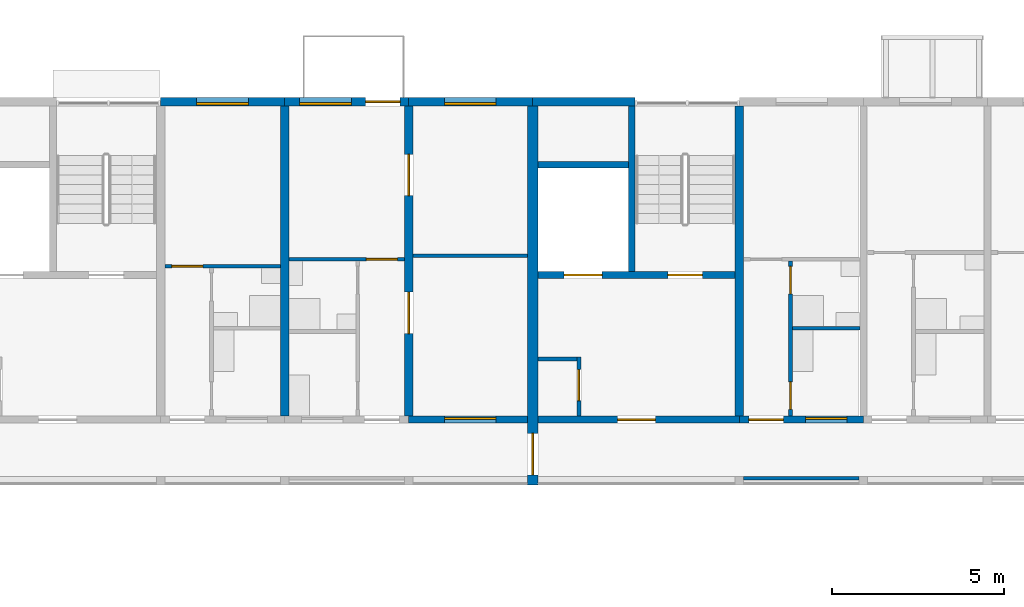
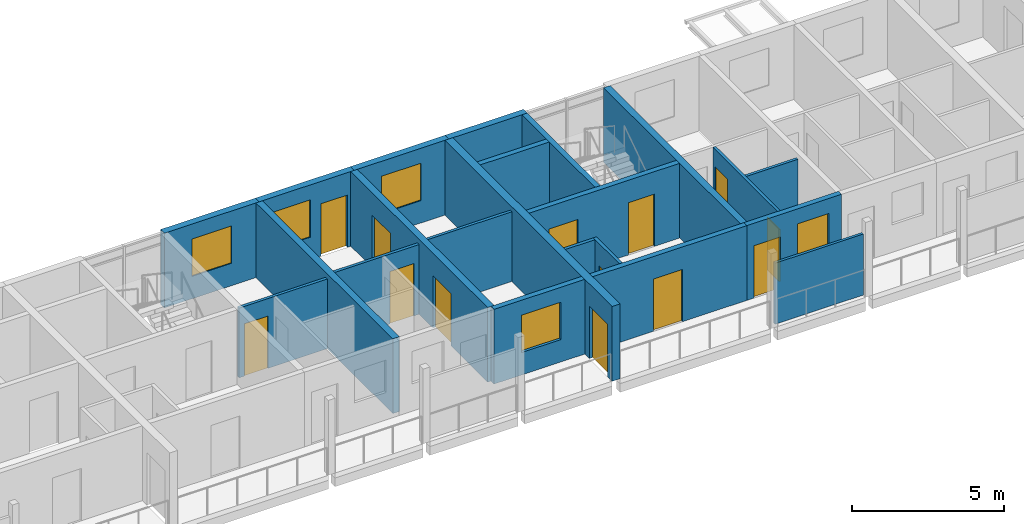
# One storey, part 78 of 122: 22 walls, 13 doors, 5 windows, 18 openings.
"""IFC4 building model written with IfcOpenShell, lengths in metres."""

from ifc_helpers import new_model, si_unit, direction, frame, frame_2d, origin, place, context, subcontext, project, spatial, rectangle, extrude, material, layer, layer_set, type_object, element, fill, save


model = new_model("IFC4")

# Units and contexts
model_context = context("Model", 3, precision=1e-05, world=origin(), true_north=direction((0.0, 1.0)))
body_context = subcontext(model_context, "Body", "Model", "MODEL_VIEW")
ifc_project = project(units=[si_unit("LENGTHUNIT", "METRE"), si_unit("AREAUNIT", "SQUARE_METRE"), si_unit("VOLUMEUNIT", "CUBIC_METRE"), si_unit("PLANEANGLEUNIT", "RADIAN"), si_unit("MASSUNIT", "GRAM", prefix="KILO")], contexts=[model_context])

# Site, building, storey
site_placement = place(None, origin())
site = spatial("IfcSite", under=ifc_project, at=site_placement, CompositionType="ELEMENT")
building_placement = place(site_placement, origin())
building = spatial("IfcBuilding", under=site, at=building_placement, Name="Ridgestep Commons", CompositionType="ELEMENT")
storey_placement = place(building_placement, frame((0.0, 0.0, 3.0)))
storey = spatial("IfcBuildingStorey", under=building, at=storey_placement, Name="L01", CompositionType="ELEMENT", Elevation=3.0)

# Wall
ifc_material_1 = material(Name="Concrete C30/37", Category="concrete")
ifc_layer_1 = layer(ifc_material_1, 0.25)
ifc_layer_set_1 = layer_set([ifc_layer_1], Name="Core cross wall 250")
wall_type_1 = type_object("IfcWallType", Name="Core cross wall 250", PredefinedType="SHEAR", material=ifc_layer_set_1)
wall_1_placement = place(storey_placement, frame((203.199951171875, 68.0, 0.0), z_axis=(0.0, 0.0, 1.0), x_axis=(0.0, 1.0, 0.0)))
element("IfcWall", 1, at=wall_1_placement, inside=storey, type_object=wall_type_1, Name="Cross wall C-01-2032", PredefinedType="SHEAR", context=body_context, shape_type="SweptSolid", body=[
    extrude(rectangle(XDim=9.0, YDim=0.25, at=frame_2d((4.5, 0.0))), origin(), (0.0, 0.0, 1.0), 3.0),
])

# Wall, opening, door
ifc_material_2 = material(Name="Concrete C30/37", Category="concrete")
ifc_layer_2 = layer(ifc_material_2, 0.199951171875)
ifc_layer_set_2 = layer_set([ifc_layer_2], Name="Core south wall 200")
wall_type_2 = type_object("IfcWallType", Name="Core south wall 200", PredefinedType="SHEAR", material=ifc_layer_set_2)
wall_2_placement = place(storey_placement, frame((197.35009765625, 67.89990234375, 0.0), z_axis=(0.0, 0.0, 1.0), x_axis=(1.0, 0.0, 0.0)))
wall_2 = element("IfcWall", 2, at=wall_2_placement, inside=storey, type_object=wall_type_2, Name="Core south wall C4C L01", PredefinedType="SHEAR", context=body_context, shape_type="SweptSolid", body=[
    extrude(rectangle(XDim=5.849853515625, YDim=0.199951171875, at=frame_2d((2.9248046875, 0.0))), origin(), (0.0, 0.0, 1.0), 3.0),
])
opening_1_placement = place(wall_2_placement, frame((2.3125, 0.0, 0.0)))
opening_1 = element("IfcOpeningElement", 3, at=opening_1_placement, cuts=wall_2, Name="Opening C4C/01/1", PredefinedType="OPENING", context=body_context, shape_type="SweptSolid", body=[
    extrude(rectangle(XDim=1.10009765625, YDim=2.10009765625, at=frame_2d((0.550048828125, 1.050048828125))), frame((0.0, 0.10986328125, 0.0), z_axis=(0.0, -1.0, 0.0), x_axis=(1.0, 0.0, 0.0)), (0.0, 0.0, 1.0), 0.219970703125),
])
ifc_material_3 = material(Name="Steel fire door", Category="steel")
door_type_1 = type_object("IfcDoorType", Name="Lobby door 1100 x 2100 FD60", OperationType="NOTDEFINED", PredefinedType="DOOR", material=ifc_material_3)
door_1_placement = place(opening_1_placement, origin())
door_1 = element("IfcDoor", 4, at=door_1_placement, inside=storey, type_object=door_type_1, Name="Lobby door C4C/01/1", OperationType="SINGLE_SWING_LEFT", OverallHeight=2.10009765625, OverallWidth=1.10009765625, PredefinedType="DOOR", context=body_context, shape_type="SweptSolid", body=[
    extrude(rectangle(XDim=1.10009765625, YDim=2.10009765625, at=frame_2d((0.550048828125, 1.050048828125))), frame((0.0, 0.02490234375, 0.0), z_axis=(0.0, -1.0, 0.0), x_axis=(1.0, 0.0, 0.0)), (0.0, 0.0, 1.0), 0.050048828125),
])
fill(opening_1, door_1)

ifc_material_4 = material(Name="Concrete C30/37", Category="concrete")
ifc_layer_3 = layer(ifc_material_4, 0.1201171875)
ifc_layer_set_3 = layer_set([ifc_layer_3], Name="Core wall 120")
wall_type_3 = type_object("IfcWallType", Name="Core wall 120", PredefinedType="SHEAR", material=ifc_layer_set_3)
wall_3_placement = place(storey_placement, frame((198.5400390625, 68.0, 0.0), z_axis=(0.0, 0.0, 1.0), x_axis=(0.0, 1.0, 0.0)))
wall_3 = element("IfcWall", 5, at=wall_3_placement, inside=storey, type_object=wall_type_3, Name="Core riser w wall C4C L01", PredefinedType="SHEAR", context=body_context, shape_type="SweptSolid", body=[
    extrude(rectangle(XDim=1.719970703125, YDim=0.1201171875, at=frame_2d((0.85986328125, 0.0))), origin(), (0.0, 0.0, 1.0), 3.0),
])
opening_2_placement = place(wall_3_placement, frame((0.449951171875, 0.0, 0.0)))
opening_2 = element("IfcOpeningElement", 6, at=opening_2_placement, cuts=wall_3, Name="Opening C4C/01/4", PredefinedType="OPENING", context=body_context, shape_type="SweptSolid", body=[
    extrude(rectangle(XDim=0.89990234375, YDim=2.10009765625, at=frame_2d((0.449951171875, 1.050048828125))), frame((0.0, 0.070068359375, 0.0), z_axis=(0.0, -1.0, 0.0), x_axis=(1.0, 0.0, 0.0)), (0.0, 0.0, 1.0), 0.14013671875),
])
ifc_material_5 = material(Name="Steel fire door", Category="steel")
door_type_2 = type_object("IfcDoorType", Name="Riser door 900 x 2100 FD60", OperationType="NOTDEFINED", PredefinedType="DOOR", material=ifc_material_5)
door_2_placement = place(opening_2_placement, origin())
door_2 = element("IfcDoor", 7, at=door_2_placement, inside=storey, type_object=door_type_2, Name="Riser door C4C/01/4", OperationType="SINGLE_SWING_RIGHT", OverallHeight=2.10009765625, OverallWidth=0.89990234375, PredefinedType="DOOR", context=body_context, shape_type="SweptSolid", body=[
    extrude(rectangle(XDim=0.89990234375, YDim=2.10009765625, at=frame_2d((0.449951171875, 1.050048828125))), frame((0.0, 0.02490234375, 0.0), z_axis=(0.0, -1.0, 0.0), x_axis=(1.0, 0.0, 0.0)), (0.0, 0.0, 1.0), 0.050048828125),
])
fill(opening_2, door_2)

# Wall
wall_4_placement = place(storey_placement, frame((197.35009765625, 69.659912109375, 0.0), z_axis=(0.0, 0.0, 1.0), x_axis=(1.0, 0.0, 0.0)))
element("IfcWall", 8, at=wall_4_placement, inside=storey, type_object=wall_type_3, Name="Core riser n wall C4C L01", PredefinedType="SHEAR", context=body_context, shape_type="SweptSolid", body=[
    extrude(rectangle(XDim=1.1298828125, YDim=0.1201171875, at=frame_2d((0.56494140625, 0.0))), origin(), (0.0, 0.0, 1.0), 3.0),
])

# Wall, openings, doors
ifc_material_6 = material(Name="Concrete C30/37", Category="concrete")
ifc_layer_4 = layer(ifc_material_6, 0.199951171875)
ifc_layer_set_4 = layer_set([ifc_layer_4], Name="Core wall 200")
wall_type_4 = type_object("IfcWallType", Name="Core wall 200", PredefinedType="SHEAR", material=ifc_layer_set_4)
wall_5_placement = place(storey_placement, frame((197.35009765625, 72.10009765625, 0.0), z_axis=(0.0, 0.0, 1.0), x_axis=(1.0, 0.0, 0.0)))
wall_5 = element("IfcWall", 9, at=wall_5_placement, inside=storey, type_object=wall_type_4, Name="Core lobby wall C4C L01", PredefinedType="SHEAR", context=body_context, shape_type="SweptSolid", body=[
    extrude(rectangle(XDim=5.724853515625, YDim=0.199951171875, at=frame_2d((2.8623046875, 0.0))), origin(), (0.0, 0.0, 1.0), 3.0),
])
opening_3_placement = place(wall_5_placement, frame((3.77490234375, 0.0, 0.0)))
opening_3 = element("IfcOpeningElement", 10, at=opening_3_placement, cuts=wall_5, Name="Opening C4C/01/2", PredefinedType="OPENING", context=body_context, shape_type="SweptSolid", body=[
    extrude(rectangle(XDim=1.0, YDim=2.10009765625, at=frame_2d((0.5, 1.050048828125))), frame((0.0, 0.10986328125, 0.0), z_axis=(0.0, -1.0, 0.0), x_axis=(1.0, 0.0, 0.0)), (0.0, 0.0, 1.0), 0.219970703125),
])
opening_4_placement = place(wall_5_placement, frame((0.762451171875, 0.0, 0.0)))
opening_4 = element("IfcOpeningElement", 11, at=opening_4_placement, cuts=wall_5, Name="Opening C4C/01/3", PredefinedType="OPENING", context=body_context, shape_type="SweptSolid", body=[
    extrude(rectangle(XDim=1.10009765625, YDim=2.10009765625, at=frame_2d((0.550048828125, 1.050048828125))), frame((0.0, 0.10986328125, 0.0), z_axis=(0.0, -1.0, 0.0), x_axis=(1.0, 0.0, 0.0)), (0.0, 0.0, 1.0), 0.219970703125),
])
ifc_material_7 = material(Name="Stainless steel", Category="steel")
door_type_3 = type_object("IfcDoorType", Name="Lift landing door 1100 x 2100 FD60", OperationType="DOUBLE_DOOR_SLIDING", PredefinedType="DOOR", material=ifc_material_7)
door_3_placement = place(opening_4_placement, origin())
door_3 = element("IfcDoor", 12, at=door_3_placement, inside=storey, type_object=door_type_3, Name="Landing door LD C4C L01", OperationType="DOUBLE_DOOR_SLIDING", OverallHeight=2.10009765625, OverallWidth=1.10009765625, PredefinedType="DOOR", context=body_context, shape_type="SweptSolid", body=[
    extrude(rectangle(XDim=1.10009765625, YDim=2.10009765625, at=frame_2d((0.550048828125, 1.050048828125))), frame((0.0, 0.02490234375, 0.0), z_axis=(0.0, -1.0, 0.0), x_axis=(1.0, 0.0, 0.0)), (0.0, 0.0, 1.0), 0.050048828125),
])
fill(opening_4, door_3)
ifc_material_8 = material(Name="Steel fire door", Category="steel")
door_type_4 = type_object("IfcDoorType", Name="Stair door 1000 x 2100 FD60", OperationType="NOTDEFINED", PredefinedType="DOOR", material=ifc_material_8)
door_4_placement = place(opening_3_placement, origin())
door_4 = element("IfcDoor", 13, at=door_4_placement, inside=storey, type_object=door_type_4, Name="Stair door C4C/01/2", OperationType="SINGLE_SWING_RIGHT", OverallHeight=2.10009765625, OverallWidth=1.0, PredefinedType="DOOR", context=body_context, shape_type="SweptSolid", body=[
    extrude(rectangle(XDim=1.0, YDim=2.10009765625, at=frame_2d((0.5, 1.050048828125))), frame((0.0, 0.02490234375, 0.0), z_axis=(0.0, -1.0, 0.0), x_axis=(1.0, 0.0, 0.0)), (0.0, 0.0, 1.0), 0.050048828125),
])
fill(opening_3, door_4)

# Walls
wall_6_placement = place(storey_placement, frame((200.074951171875, 72.199951171875, 0.0), z_axis=(0.0, 0.0, 1.0), x_axis=(0.0, 1.0, 0.0)))
element("IfcWall", 14, at=wall_6_placement, inside=storey, type_object=wall_type_4, Name="Core stair wall C4C L01", PredefinedType="SHEAR", context=body_context, shape_type="SweptSolid", body=[
    extrude(rectangle(XDim=4.800048828125, YDim=0.199951171875, at=frame_2d((2.39990234375, 0.0))), origin(), (0.0, 0.0, 1.0), 3.0),
])
wall_7_placement = place(storey_placement, frame((197.35009765625, 75.300048828125, 0.0), z_axis=(0.0, 0.0, 1.0), x_axis=(1.0, 0.0, 0.0)))
element("IfcWall", 15, at=wall_7_placement, inside=storey, type_object=wall_type_4, Name="Core duct wall C4C L01", PredefinedType="SHEAR", context=body_context, shape_type="SweptSolid", body=[
    extrude(rectangle(XDim=2.625, YDim=0.199951171875, at=frame_2d((1.3125, 0.0))), origin(), (0.0, 0.0, 1.0), 3.0),
])
ifc_material_9 = material(Name="Precast concrete C40/50", Category="concrete")
ifc_layer_5 = layer(ifc_material_9, 0.25)
ifc_layer_set_5 = layer_set([ifc_layer_5], Name="Cross wall 250")
wall_type_5 = type_object("IfcWallType", Name="Cross wall 250", PredefinedType="SHEAR", material=ifc_layer_set_5)
wall_8_placement = place(storey_placement, frame((190.0, 68.0, 0.0), z_axis=(0.0, 0.0, 1.0), x_axis=(0.0, 1.0, 0.0)))
element("IfcWall", 16, at=wall_8_placement, inside=storey, type_object=wall_type_5, Name="Cross wall C-01-1900", PredefinedType="SHEAR", context=body_context, shape_type="SweptSolid", body=[
    extrude(rectangle(XDim=9.0, YDim=0.25, at=frame_2d((4.5, 0.0))), origin(), (0.0, 0.0, 1.0), 3.0),
])

# Wall, openings, doors
wall_9_placement = place(storey_placement, frame((193.60009765625, 68.0, 0.0), z_axis=(0.0, 0.0, 1.0), x_axis=(0.0, 1.0, 0.0)))
wall_9 = element("IfcWall", 17, at=wall_9_placement, inside=storey, type_object=wall_type_5, Name="Cross wall C-01-1936", PredefinedType="SHEAR", context=body_context, shape_type="SweptSolid", body=[
    extrude(rectangle(XDim=9.0, YDim=0.25, at=frame_2d((4.5, 0.0))), origin(), (0.0, 0.0, 1.0), 3.0),
])
opening_5_placement = place(wall_9_placement, frame((2.39990234375, 0.0, 0.0)))
opening_5 = element("IfcOpeningElement", 18, at=opening_5_placement, cuts=wall_9, Name="Opening C3-01a/5", PredefinedType="OPENING", context=body_context, shape_type="SweptSolid", body=[
    extrude(rectangle(XDim=1.199951171875, YDim=2.10009765625, at=frame_2d((0.60009765625, 1.050048828125))), frame((0.0, 0.135009765625, 0.0), z_axis=(0.0, -1.0, 0.0), x_axis=(1.0, 0.0, 0.0)), (0.0, 0.0, 1.0), 0.27001953125),
])
opening_6_placement = place(wall_9_placement, frame((6.39990234375, 0.0, 0.0)))
opening_6 = element("IfcOpeningElement", 19, at=opening_6_placement, cuts=wall_9, Name="Opening C3-01a/6", PredefinedType="OPENING", context=body_context, shape_type="SweptSolid", body=[
    extrude(rectangle(XDim=1.199951171875, YDim=2.10009765625, at=frame_2d((0.60009765625, 1.050048828125))), frame((0.0, 0.135009765625, 0.0), z_axis=(0.0, -1.0, 0.0), x_axis=(1.0, 0.0, 0.0)), (0.0, 0.0, 1.0), 0.27001953125),
])
ifc_material_10 = material(Name="Timber door leaf", Category="wood")
door_type_5 = type_object("IfcDoorType", Name="Double door 1200 x 2100", OperationType="DOUBLE_DOOR_SINGLE_SWING", PredefinedType="DOOR", material=ifc_material_10)
door_5_placement = place(opening_5_placement, origin())
door_5 = element("IfcDoor", 20, at=door_5_placement, inside=storey, type_object=door_type_5, Name="Double door C3-01a/5", OperationType="DOUBLE_DOOR_SINGLE_SWING", OverallHeight=2.10009765625, OverallWidth=1.199951171875, PredefinedType="DOOR", context=body_context, shape_type="SweptSolid", body=[
    extrude(rectangle(XDim=1.199951171875, YDim=2.10009765625, at=frame_2d((0.60009765625, 1.050048828125))), frame((0.0, 0.02490234375, 0.0), z_axis=(0.0, -1.0, 0.0), x_axis=(1.0, 0.0, 0.0)), (0.0, 0.0, 1.0), 0.050048828125),
])
fill(opening_5, door_5)
door_6_placement = place(opening_6_placement, origin())
door_6 = element("IfcDoor", 21, at=door_6_placement, inside=storey, type_object=door_type_5, Name="Double door C3-01a/6", OperationType="DOUBLE_DOOR_SINGLE_SWING", OverallHeight=2.10009765625, OverallWidth=1.199951171875, PredefinedType="DOOR", context=body_context, shape_type="SweptSolid", body=[
    extrude(rectangle(XDim=1.199951171875, YDim=2.10009765625, at=frame_2d((0.60009765625, 1.050048828125))), frame((0.0, 0.02490234375, 0.0), z_axis=(0.0, -1.0, 0.0), x_axis=(1.0, 0.0, 0.0)), (0.0, 0.0, 1.0), 0.050048828125),
])
fill(opening_6, door_6)

# Wall, opening, door
ifc_material_11 = material(Name="Precast concrete C40/50", Category="concrete")
ifc_layer_6 = layer(ifc_material_11, 0.300048828125)
ifc_layer_set_6 = layer_set([ifc_layer_6], Name="Division wall 300")
wall_type_6 = type_object("IfcWallType", Name="Division wall 300", PredefinedType="SHEAR", material=ifc_layer_set_6)
wall_10_placement = place(storey_placement, frame((197.199951171875, 66.0, 0.0), z_axis=(0.0, 0.0, 1.0), x_axis=(0.0, 1.0, 0.0)))
wall_10 = element("IfcWall", 22, at=wall_10_placement, inside=storey, type_object=wall_type_6, Name="Cross wall C-01-1972", PredefinedType="SHEAR", context=body_context, shape_type="SweptSolid", body=[
    extrude(rectangle(XDim=11.0, YDim=0.300048828125, at=frame_2d((5.5, 0.0))), origin(), (0.0, 0.0, 1.0), 3.0),
])
opening_7_placement = place(wall_10_placement, frame((0.300048828125, 0.0, 0.0)))
opening_7 = element("IfcOpeningElement", 23, at=opening_7_placement, cuts=wall_10, Name="Opening C/01/G1972", PredefinedType="OPENING", context=body_context, shape_type="SweptSolid", body=[
    extrude(rectangle(XDim=1.199951171875, YDim=2.10009765625, at=frame_2d((0.60009765625, 1.050048828125))), frame((0.0, 0.159912109375, 0.0), z_axis=(0.0, -1.0, 0.0), x_axis=(1.0, 0.0, 0.0)), (0.0, 0.0, 1.0), 0.320068359375),
])
ifc_material_12 = material(Name="Steel fire door", Category="steel")
door_type_6 = type_object("IfcDoorType", Name="Division fire door 1200 x 2100 EI 240", OperationType="DOUBLE_DOOR_SINGLE_SWING", PredefinedType="DOOR", material=ifc_material_12)
door_7_placement = place(opening_7_placement, origin())
door_7 = element("IfcDoor", 24, at=door_7_placement, inside=storey, type_object=door_type_6, Name="Division fire door C/01/G1972", OperationType="DOUBLE_DOOR_SINGLE_SWING", OverallHeight=2.10009765625, OverallWidth=1.199951171875, PredefinedType="DOOR", context=body_context, shape_type="SweptSolid", body=[
    extrude(rectangle(XDim=1.199951171875, YDim=2.10009765625, at=frame_2d((0.60009765625, 1.050048828125))), frame((0.0, 0.02490234375, 0.0), z_axis=(0.0, -1.0, 0.0), x_axis=(1.0, 0.0, 0.0)), (0.0, 0.0, 1.0), 0.050048828125),
])
fill(opening_7, door_7)

# Wall, opening, window
ifc_material_13 = material(Name="Precast concrete C40/50", Category="concrete")
ifc_layer_7 = layer(ifc_material_13, 0.25)
ifc_layer_set_7 = layer_set([ifc_layer_7], Name="North facade panel 250")
wall_type_7 = type_object("IfcWallType", Name="North facade panel 250", PredefinedType="SOLIDWALL", material=ifc_layer_set_7)
wall_11_placement = place(storey_placement, frame((186.39990234375, 77.125, 0.0), z_axis=(0.0, 0.0, 1.0), x_axis=(1.0, 0.0, 0.0)))
wall_11 = element("IfcWall", 25, at=wall_11_placement, inside=storey, type_object=wall_type_7, Name="North panel C3T3 L01", PredefinedType="SOLIDWALL", context=body_context, shape_type="SweptSolid", body=[
    extrude(rectangle(XDim=3.60009765625, YDim=0.25, at=frame_2d((1.800048828125, 0.0))), origin(), (0.0, 0.0, 1.0), 3.0),
])
opening_8_placement = place(wall_11_placement, frame((1.050048828125, 0.0, 0.89990234375)))
opening_8 = element("IfcOpeningElement", 26, at=opening_8_placement, cuts=wall_11, Name="Opening W16", PredefinedType="OPENING", context=body_context, shape_type="SweptSolid", body=[
    extrude(rectangle(XDim=1.5, YDim=1.5, at=frame_2d((0.75, 0.75))), frame((0.0, 0.135009765625, 0.0), z_axis=(0.0, -1.0, 0.0), x_axis=(1.0, 0.0, 0.0)), (0.0, 0.0, 1.0), 0.27001953125),
])
ifc_material_14 = material(Name="Aluminium 6063-T6 and glass", Category="aluminium")
window_type_1 = type_object("IfcWindowType", Name="Flat window 1500 x 1500", PartitioningType="DOUBLE_PANEL_VERTICAL", PredefinedType="WINDOW", material=ifc_material_14)
window_1_placement = place(opening_8_placement, origin())
window_1 = element("IfcWindow", 27, at=window_1_placement, inside=storey, type_object=window_type_1, Name="Window C3-01b 2", OverallHeight=1.5, OverallWidth=1.5, PartitioningType="SINGLE_PANEL", PredefinedType="WINDOW", context=body_context, shape_type="SweptSolid", body=[
    extrude(rectangle(XDim=1.5, YDim=1.5, at=frame_2d((0.75, 0.75))), frame((0.0, -0.02490234375, 0.0), z_axis=(0.0, -1.0, 0.0), x_axis=(1.0, 0.0, 0.0)), (0.0, 0.0, 1.0), 0.06005859375),
])
fill(opening_8, window_1)

# Wall, openings, door, window
wall_12_placement = place(storey_placement, frame((190.0, 77.125, 0.0), z_axis=(0.0, 0.0, 1.0), x_axis=(1.0, 0.0, 0.0)))
wall_12 = element("IfcWall", 28, at=wall_12_placement, inside=storey, type_object=wall_type_7, Name="North panel C3T2 L01", PredefinedType="SOLIDWALL", context=body_context, shape_type="SweptSolid", body=[
    extrude(rectangle(XDim=3.60009765625, YDim=0.25, at=frame_2d((1.800048828125, 0.0))), origin(), (0.0, 0.0, 1.0), 3.0),
])
opening_9_placement = place(wall_12_placement, frame((0.4384765625, 0.0, 0.89990234375)))
opening_9 = element("IfcOpeningElement", 29, at=opening_9_placement, cuts=wall_12, Name="Opening W16", PredefinedType="OPENING", context=body_context, shape_type="SweptSolid", body=[
    extrude(rectangle(XDim=1.5, YDim=1.5, at=frame_2d((0.75, 0.75))), frame((0.0, 0.135009765625, 0.0), z_axis=(0.0, -1.0, 0.0), x_axis=(1.0, 0.0, 0.0)), (0.0, 0.0, 1.0), 0.27001953125),
])
opening_10_placement = place(wall_12_placement, frame((2.35205078125, 0.0, 0.0)))
opening_10 = element("IfcOpeningElement", 30, at=opening_10_placement, cuts=wall_12, Name="Opening C3-01a/7", PredefinedType="OPENING", context=body_context, shape_type="SweptSolid", body=[
    extrude(rectangle(XDim=1.0, YDim=2.10009765625, at=frame_2d((0.5, 1.050048828125))), frame((0.0, 0.135009765625, 0.0), z_axis=(0.0, -1.0, 0.0), x_axis=(1.0, 0.0, 0.0)), (0.0, 0.0, 1.0), 0.27001953125),
])
ifc_material_15 = material(Name="Aluminium and glass", Category="aluminium")
door_type_7 = type_object("IfcDoorType", Name="Balcony door 1000 x 2100", OperationType="NOTDEFINED", PredefinedType="DOOR", material=ifc_material_15)
door_8_placement = place(opening_10_placement, origin())
door_8 = element("IfcDoor", 31, at=door_8_placement, inside=storey, type_object=door_type_7, Name="Balcony door C3-01a/7", OperationType="SINGLE_SWING_LEFT", OverallHeight=2.10009765625, OverallWidth=1.0, PredefinedType="DOOR", context=body_context, shape_type="SweptSolid", body=[
    extrude(rectangle(XDim=1.0, YDim=2.10009765625, at=frame_2d((0.5, 1.050048828125))), frame((0.0, 0.02490234375, 0.0), z_axis=(0.0, -1.0, 0.0), x_axis=(1.0, 0.0, 0.0)), (0.0, 0.0, 1.0), 0.050048828125),
])
fill(opening_10, door_8)
window_2_placement = place(opening_9_placement, origin())
window_2 = element("IfcWindow", 32, at=window_2_placement, inside=storey, type_object=window_type_1, Name="Window C3-01a 4", OverallHeight=1.5, OverallWidth=1.5, PartitioningType="SINGLE_PANEL", PredefinedType="WINDOW", context=body_context, shape_type="SweptSolid", body=[
    extrude(rectangle(XDim=1.5, YDim=1.5, at=frame_2d((0.75, 0.75))), frame((0.0, -0.02490234375, 0.0), z_axis=(0.0, -1.0, 0.0), x_axis=(1.0, 0.0, 0.0)), (0.0, 0.0, 1.0), 0.06005859375),
])
fill(opening_9, window_2)

# Wall, opening, window
wall_13_placement = place(storey_placement, frame((193.60009765625, 77.125, 0.0), z_axis=(0.0, 0.0, 1.0), x_axis=(1.0, 0.0, 0.0)))
wall_13 = element("IfcWall", 33, at=wall_13_placement, inside=storey, type_object=wall_type_7, Name="North panel C3T1 L01", PredefinedType="SOLIDWALL", context=body_context, shape_type="SweptSolid", body=[
    extrude(rectangle(XDim=3.599853515625, YDim=0.25, at=frame_2d((1.7998046875, 0.0))), origin(), (0.0, 0.0, 1.0), 3.0),
])
opening_11_placement = place(wall_13_placement, frame((1.03759765625, 0.0, 0.89990234375)))
opening_11 = element("IfcOpeningElement", 34, at=opening_11_placement, cuts=wall_13, Name="Opening W16", PredefinedType="OPENING", context=body_context, shape_type="SweptSolid", body=[
    extrude(rectangle(XDim=1.5, YDim=1.5, at=frame_2d((0.75, 0.75))), frame((0.0, 0.135009765625, 0.0), z_axis=(0.0, -1.0, 0.0), x_axis=(1.0, 0.0, 0.0)), (0.0, 0.0, 1.0), 0.27001953125),
])
window_3_placement = place(opening_11_placement, origin())
window_3 = element("IfcWindow", 35, at=window_3_placement, inside=storey, type_object=window_type_1, Name="Window C3-01a 2", OverallHeight=1.5, OverallWidth=1.5, PartitioningType="SINGLE_PANEL", PredefinedType="WINDOW", context=body_context, shape_type="SweptSolid", body=[
    extrude(rectangle(XDim=1.5, YDim=1.5, at=frame_2d((0.75, 0.75))), frame((0.0, -0.02490234375, 0.0), z_axis=(0.0, -1.0, 0.0), x_axis=(1.0, 0.0, 0.0)), (0.0, 0.0, 1.0), 0.06005859375),
])
fill(opening_11, window_3)

# Wall
wall_14_placement = place(storey_placement, frame((197.199951171875, 77.125, 0.0), z_axis=(0.0, 0.0, 1.0), x_axis=(1.0, 0.0, 0.0)))
element("IfcWall", 36, at=wall_14_placement, inside=storey, type_object=wall_type_7, Name="North panel C4C L01", PredefinedType="SOLIDWALL", context=body_context, shape_type="SweptSolid", body=[
    extrude(rectangle(XDim=2.97509765625, YDim=0.25, at=frame_2d((1.487548828125, 0.0))), origin(), (0.0, 0.0, 1.0), 3.0),
])

# Wall, opening, door
ifc_material_16 = material(Name="Common brick 110 mm", Category="masonry")
ifc_layer_8 = layer(ifc_material_16, 0.110107421875)
ifc_layer_set_8 = layer_set([ifc_layer_8], Name="Partition 110")
wall_type_8 = type_object("IfcWallType", Name="Partition 110", PredefinedType="PARTITIONING", material=ifc_layer_set_8)
wall_15_placement = place(storey_placement, frame((190.125, 72.554931640625, 0.0), z_axis=(0.0, 0.0, 1.0), x_axis=(1.0, 0.0, 0.0)))
wall_15 = element("IfcWall", 37, at=wall_15_placement, inside=storey, type_object=wall_type_8, Name="Partition C3-01a", PredefinedType="PARTITIONING", context=body_context, shape_type="SweptSolid", body=[
    extrude(rectangle(XDim=3.35009765625, YDim=0.110107421875, at=frame_2d((1.675048828125, 0.0))), origin(), (0.0, 0.0, 1.0), 2.800048828125),
])
opening_12_placement = place(wall_15_placement, frame((2.25, 0.0, 0.0)))
opening_12 = element("IfcOpeningElement", 38, at=opening_12_placement, cuts=wall_15, Name="Opening C3-01a/4", PredefinedType="OPENING", context=body_context, shape_type="SweptSolid", body=[
    extrude(rectangle(XDim=0.89990234375, YDim=2.10009765625, at=frame_2d((0.449951171875, 1.050048828125))), frame((0.0, 0.06494140625, 0.0), z_axis=(0.0, -1.0, 0.0), x_axis=(1.0, 0.0, 0.0)), (0.0, 0.0, 1.0), 0.130126953125),
])
ifc_material_17 = material(Name="Timber door leaf", Category="wood")
door_type_8 = type_object("IfcDoorType", Name="Internal door 900 x 2100", OperationType="NOTDEFINED", PredefinedType="DOOR", material=ifc_material_17)
door_9_placement = place(opening_12_placement, origin())
door_9 = element("IfcDoor", 39, at=door_9_placement, inside=storey, type_object=door_type_8, Name="Internal door C3-01a/4", OperationType="SINGLE_SWING_LEFT", OverallHeight=2.10009765625, OverallWidth=0.89990234375, PredefinedType="DOOR", context=body_context, shape_type="SweptSolid", body=[
    extrude(rectangle(XDim=0.89990234375, YDim=2.10009765625, at=frame_2d((0.449951171875, 1.050048828125))), frame((0.0, 0.02490234375, 0.0), z_axis=(0.0, -1.0, 0.0), x_axis=(1.0, 0.0, 0.0)), (0.0, 0.0, 1.0), 0.050048828125),
])
fill(opening_12, door_9)

# Wall
wall_16_placement = place(storey_placement, frame((193.72509765625, 72.655029296875, 0.0), z_axis=(0.0, 0.0, 1.0), x_axis=(1.0, 0.0, 0.0)))
element("IfcWall", 40, at=wall_16_placement, inside=storey, type_object=wall_type_8, Name="Partition C3-01a", PredefinedType="PARTITIONING", context=body_context, shape_type="SweptSolid", body=[
    extrude(rectangle(XDim=3.324951171875, YDim=0.110107421875, at=frame_2d((1.66259765625, 0.0))), origin(), (0.0, 0.0, 1.0), 2.800048828125),
])

# Wall, opening, door
wall_17_placement = place(storey_placement, frame((186.52490234375, 72.35498046875, 0.0), z_axis=(0.0, 0.0, 1.0), x_axis=(1.0, 0.0, 0.0)))
wall_17 = element("IfcWall", 41, at=wall_17_placement, inside=storey, type_object=wall_type_8, Name="Partition C3-01b", PredefinedType="PARTITIONING", context=body_context, shape_type="SweptSolid", body=[
    extrude(rectangle(XDim=3.35009765625, YDim=0.110107421875, at=frame_2d((1.675048828125, 0.0))), origin(), (0.0, 0.0, 1.0), 2.800048828125),
])
opening_13_placement = place(wall_17_placement, frame((0.199951171875, 0.0, 0.0)))
opening_13 = element("IfcOpeningElement", 42, at=opening_13_placement, cuts=wall_17, Name="Opening C3-01b/4", PredefinedType="OPENING", context=body_context, shape_type="SweptSolid", body=[
    extrude(rectangle(XDim=0.89990234375, YDim=2.10009765625, at=frame_2d((0.449951171875, 1.050048828125))), frame((0.0, 0.06494140625, 0.0), z_axis=(0.0, -1.0, 0.0), x_axis=(1.0, 0.0, 0.0)), (0.0, 0.0, 1.0), 0.130126953125),
])
door_10_placement = place(opening_13_placement, origin())
door_10 = element("IfcDoor", 43, at=door_10_placement, inside=storey, type_object=door_type_8, Name="Internal door C3-01b/4", OperationType="SINGLE_SWING_LEFT", OverallHeight=2.10009765625, OverallWidth=0.89990234375, PredefinedType="DOOR", context=body_context, shape_type="SweptSolid", body=[
    extrude(rectangle(XDim=0.89990234375, YDim=2.10009765625, at=frame_2d((0.449951171875, 1.050048828125))), frame((0.0, 0.02490234375, 0.0), z_axis=(0.0, -1.0, 0.0), x_axis=(1.0, 0.0, 0.0)), (0.0, 0.0, 1.0), 0.050048828125),
])
fill(opening_13, door_10)

# Wall, openings, doors
wall_18_placement = place(storey_placement, frame((204.679931640625, 68.0, 0.0), z_axis=(0.0, 0.0, 1.0), x_axis=(0.0, 1.0, 0.0)))
wall_18 = element("IfcWall", 44, at=wall_18_placement, inside=storey, type_object=wall_type_8, Name="Partition C4-01c", PredefinedType="PARTITIONING", context=body_context, shape_type="SweptSolid", body=[
    extrude(rectangle(XDim=4.5, YDim=0.110107421875, at=frame_2d((2.25, 0.0))), origin(), (0.0, 0.0, 1.0), 2.800048828125),
])
opening_14_placement = place(wall_18_placement, frame((0.199951171875, 0.0, 0.0)))
opening_14 = element("IfcOpeningElement", 45, at=opening_14_placement, cuts=wall_18, Name="Opening C4-01c/2", PredefinedType="OPENING", context=body_context, shape_type="SweptSolid", body=[
    extrude(rectangle(XDim=0.800048828125, YDim=2.10009765625, at=frame_2d((0.39990234375, 1.050048828125))), frame((0.0, 0.06494140625, 0.0), z_axis=(0.0, -1.0, 0.0), x_axis=(1.0, 0.0, 0.0)), (0.0, 0.0, 1.0), 0.130126953125),
])
opening_15_placement = place(wall_18_placement, frame((3.550048828125, 0.0, 0.0)))
opening_15 = element("IfcOpeningElement", 46, at=opening_15_placement, cuts=wall_18, Name="Opening C4-01c/3", PredefinedType="OPENING", context=body_context, shape_type="SweptSolid", body=[
    extrude(rectangle(XDim=0.800048828125, YDim=2.10009765625, at=frame_2d((0.39990234375, 1.050048828125))), frame((0.0, 0.06494140625, 0.0), z_axis=(0.0, -1.0, 0.0), x_axis=(1.0, 0.0, 0.0)), (0.0, 0.0, 1.0), 0.130126953125),
])
ifc_material_18 = material(Name="Timber door leaf", Category="wood")
door_type_9 = type_object("IfcDoorType", Name="Internal door 800 x 2100", OperationType="NOTDEFINED", PredefinedType="DOOR", material=ifc_material_18)
door_11_placement = place(opening_14_placement, origin())
door_11 = element("IfcDoor", 47, at=door_11_placement, inside=storey, type_object=door_type_9, Name="Internal door C4-01c/2", OperationType="SINGLE_SWING_RIGHT", OverallHeight=2.10009765625, OverallWidth=0.800048828125, PredefinedType="DOOR", context=body_context, shape_type="SweptSolid", body=[
    extrude(rectangle(XDim=0.800048828125, YDim=2.10009765625, at=frame_2d((0.39990234375, 1.050048828125))), frame((0.0, 0.02490234375, 0.0), z_axis=(0.0, -1.0, 0.0), x_axis=(1.0, 0.0, 0.0)), (0.0, 0.0, 1.0), 0.050048828125),
])
fill(opening_14, door_11)
door_12_placement = place(opening_15_placement, origin())
door_12 = element("IfcDoor", 48, at=door_12_placement, inside=storey, type_object=door_type_9, Name="Internal door C4-01c/3", OperationType="SINGLE_SWING_LEFT", OverallHeight=2.10009765625, OverallWidth=0.800048828125, PredefinedType="DOOR", context=body_context, shape_type="SweptSolid", body=[
    extrude(rectangle(XDim=0.800048828125, YDim=2.10009765625, at=frame_2d((0.39990234375, 1.050048828125))), frame((0.0, 0.02490234375, 0.0), z_axis=(0.0, -1.0, 0.0), x_axis=(1.0, 0.0, 0.0)), (0.0, 0.0, 1.0), 0.050048828125),
])
fill(opening_15, door_12)

# Walls
wall_19_placement = place(storey_placement, frame((204.735107421875, 70.554931640625, 0.0), z_axis=(0.0, 0.0, 1.0), x_axis=(1.0, 0.0, 0.0)))
element("IfcWall", 49, at=wall_19_placement, inside=storey, type_object=wall_type_8, Name="Partition C4-01c", PredefinedType="PARTITIONING", context=body_context, shape_type="SweptSolid", body=[
    extrude(rectangle(XDim=1.96484375, YDim=0.110107421875, at=frame_2d((0.982421875, 0.0))), origin(), (0.0, 0.0, 1.0), 2.800048828125),
])
ifc_material_19 = material(Name="Precast concrete C30/37", Category="concrete")
ifc_layer_9 = layer(ifc_material_19, 0.10009765625)
ifc_layer_set_9 = layer_set([ifc_layer_9], Name="Perforated gallery screen 3350 x 2450 x 100")
wall_type_9 = type_object("IfcWallType", Name="Perforated gallery screen 3350 x 2450 x 100", PredefinedType="SOLIDWALL", material=ifc_layer_set_9)
wall_20_placement = place(storey_placement, frame((203.324951171875, 66.199951171875, 0.0), z_axis=(0.0, 0.0, 1.0), x_axis=(1.0, 0.0, 0.0)))
element("IfcWall", 50, at=wall_20_placement, inside=storey, type_object=wall_type_9, Name="Gallery screen C4T3 01", PredefinedType="SOLIDWALL", context=body_context, shape_type="SweptSolid", body=[
    extrude(rectangle(XDim=3.35009765625, YDim=0.10009765625, at=frame_2d((1.675048828125, 0.0))), origin(), (0.0, 0.0, 1.0), 2.449951171875),
])

# Wall, opening, window
ifc_material_20 = material(Name="Precast concrete C40/50", Category="concrete")
ifc_layer_10 = layer(ifc_material_20, 0.199951171875)
ifc_layer_set_10 = layer_set([ifc_layer_10], Name="South facade panel 200")
wall_type_10 = type_object("IfcWallType", Name="South facade panel 200", PredefinedType="SOLIDWALL", material=ifc_layer_set_10)
wall_21_placement = place(storey_placement, frame((193.60009765625, 67.89990234375, 0.0), z_axis=(0.0, 0.0, 1.0), x_axis=(1.0, 0.0, 0.0)))
wall_21 = element("IfcWall", 51, at=wall_21_placement, inside=storey, type_object=wall_type_10, Name="South panel C3T1 L01", PredefinedType="SOLIDWALL", context=body_context, shape_type="SweptSolid", body=[
    extrude(rectangle(XDim=3.449951171875, YDim=0.199951171875, at=frame_2d((1.72509765625, 0.0))), origin(), (0.0, 0.0, 1.0), 3.0),
])
opening_16_placement = place(wall_21_placement, frame((1.03759765625, 0.0, 0.89990234375)))
opening_16 = element("IfcOpeningElement", 52, at=opening_16_placement, cuts=wall_21, Name="Opening W16", PredefinedType="OPENING", context=body_context, shape_type="SweptSolid", body=[
    extrude(rectangle(XDim=1.5, YDim=1.5, at=frame_2d((0.75, 0.75))), frame((0.0, 0.10986328125, 0.0), z_axis=(0.0, -1.0, 0.0), x_axis=(1.0, 0.0, 0.0)), (0.0, 0.0, 1.0), 0.219970703125),
])
window_4_placement = place(opening_16_placement, origin())
window_4 = element("IfcWindow", 53, at=window_4_placement, inside=storey, type_object=window_type_1, Name="Window C3-01a 1", OverallHeight=1.5, OverallWidth=1.5, PartitioningType="SINGLE_PANEL", PredefinedType="WINDOW", context=body_context, shape_type="SweptSolid", body=[
    extrude(rectangle(XDim=1.5, YDim=1.5, at=frame_2d((0.75, 0.75))), frame((0.0, 0.06005859375, 0.0), z_axis=(0.0, -1.0, 0.0), x_axis=(1.0, 0.0, 0.0)), (0.0, 0.0, 1.0), 0.06005859375),
])
fill(opening_16, window_4)

# Wall, openings, door, window
wall_22_placement = place(storey_placement, frame((203.199951171875, 67.89990234375, 0.0), z_axis=(0.0, 0.0, 1.0), x_axis=(1.0, 0.0, 0.0)))
wall_22 = element("IfcWall", 54, at=wall_22_placement, inside=storey, type_object=wall_type_10, Name="South panel C4T3 L01", PredefinedType="SOLIDWALL", context=body_context, shape_type="SweptSolid", body=[
    extrude(rectangle(XDim=3.60009765625, YDim=0.199951171875, at=frame_2d((1.800048828125, 0.0))), origin(), (0.0, 0.0, 1.0), 3.0),
])
opening_17_placement = place(wall_22_placement, frame((1.91748046875, 0.0, 1.10009765625)))
opening_17 = element("IfcOpeningElement", 55, at=opening_17_placement, cuts=wall_22, Name="Opening W08", PredefinedType="OPENING", context=body_context, shape_type="SweptSolid", body=[
    extrude(rectangle(XDim=1.199951171875, YDim=1.300048828125, at=frame_2d((0.60009765625, 0.64990234375))), frame((0.0, 0.10986328125, 0.0), z_axis=(0.0, -1.0, 0.0), x_axis=(1.0, 0.0, 0.0)), (0.0, 0.0, 1.0), 0.219970703125),
])
opening_18_placement = place(wall_22_placement, frame((0.27490234375, 0.0, 0.0)))
opening_18 = element("IfcOpeningElement", 56, at=opening_18_placement, cuts=wall_22, Name="Opening C4-01c/1", PredefinedType="OPENING", context=body_context, shape_type="SweptSolid", body=[
    extrude(rectangle(XDim=1.0, YDim=2.10009765625, at=frame_2d((0.5, 1.050048828125))), frame((0.0, 0.10986328125, 0.0), z_axis=(0.0, -1.0, 0.0), x_axis=(1.0, 0.0, 0.0)), (0.0, 0.0, 1.0), 0.219970703125),
])
ifc_material_21 = material(Name="Timber door leaf", Category="wood")
door_type_10 = type_object("IfcDoorType", Name="Flat entrance door 1000 x 2100 FD30S", OperationType="NOTDEFINED", PredefinedType="DOOR", material=ifc_material_21)
door_13_placement = place(opening_18_placement, origin())
door_13 = element("IfcDoor", 57, at=door_13_placement, inside=storey, type_object=door_type_10, Name="Flat entrance door C4-01c/1", OperationType="SINGLE_SWING_LEFT", OverallHeight=2.10009765625, OverallWidth=1.0, PredefinedType="DOOR", context=body_context, shape_type="SweptSolid", body=[
    extrude(rectangle(XDim=1.0, YDim=2.10009765625, at=frame_2d((0.5, 1.050048828125))), frame((0.0, 0.02490234375, 0.0), z_axis=(0.0, -1.0, 0.0), x_axis=(1.0, 0.0, 0.0)), (0.0, 0.0, 1.0), 0.050048828125),
])
fill(opening_18, door_13)
ifc_material_22 = material(Name="Aluminium 6063-T6 and glass", Category="aluminium")
window_type_2 = type_object("IfcWindowType", Name="Flat window 1200 x 1300", PartitioningType="SINGLE_PANEL", PredefinedType="WINDOW", material=ifc_material_22)
window_5_placement = place(opening_17_placement, origin())
window_5 = element("IfcWindow", 58, at=window_5_placement, inside=storey, type_object=window_type_2, Name="Window C4-01c 1", OverallHeight=1.300048828125, OverallWidth=1.199951171875, PartitioningType="SINGLE_PANEL", PredefinedType="WINDOW", context=body_context, shape_type="SweptSolid", body=[
    extrude(rectangle(XDim=1.199951171875, YDim=1.300048828125, at=frame_2d((0.60009765625, 0.64990234375))), frame((0.0, 0.06005859375, 0.0), z_axis=(0.0, -1.0, 0.0), x_axis=(1.0, 0.0, 0.0)), (0.0, 0.0, 1.0), 0.06005859375),
])
fill(opening_17, window_5)

save(model, "model.ifc")
